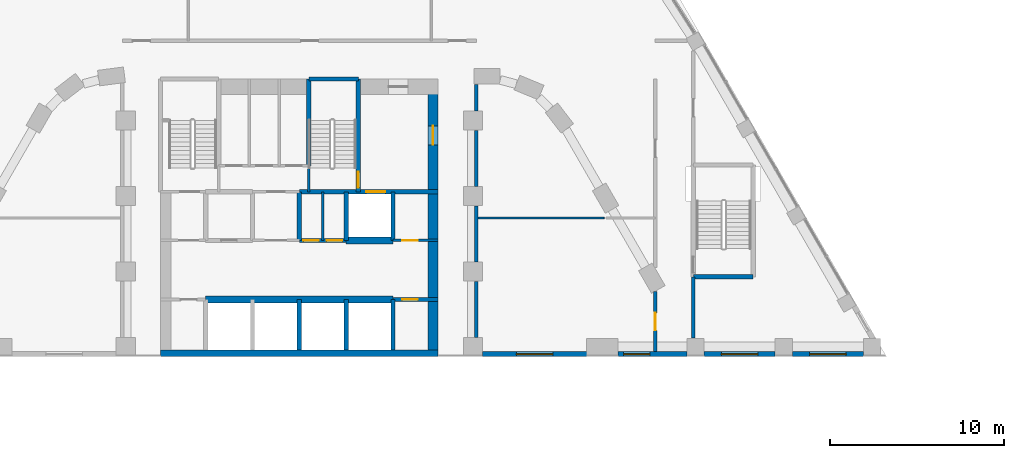
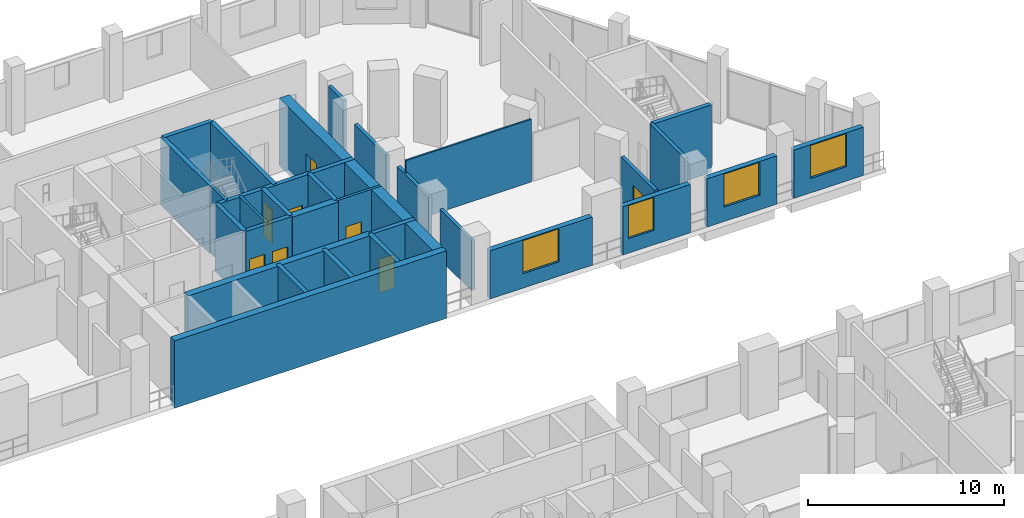
# One storey, part 24 of 47: 31 walls, 8 doors, 4 windows, 12 openings.
"""IFC4 building model written with IfcOpenShell, lengths in metres."""

from ifc_helpers import new_model, si_unit, direction, frame, frame_2d, origin, place, context, subcontext, project, spatial, rectangle, extrude, material, layer, layer_set, type_object, element, fill, save


model = new_model("IFC4")

# Units and contexts
model_context = context("Model", 3, precision=1e-05, world=origin(), true_north=direction((0.0, 1.0)))
body_context = subcontext(model_context, "Body", "Model", "MODEL_VIEW")
ifc_project = project(units=[si_unit("LENGTHUNIT", "METRE"), si_unit("AREAUNIT", "SQUARE_METRE"), si_unit("VOLUMEUNIT", "CUBIC_METRE"), si_unit("PLANEANGLEUNIT", "RADIAN"), si_unit("MASSUNIT", "GRAM", prefix="KILO")], contexts=[model_context])

# Site, building, storey
site_placement = place(None, origin())
site = spatial("IfcSite", under=ifc_project, at=site_placement, CompositionType="ELEMENT")
building_placement = place(site_placement, origin())
building = spatial("IfcBuilding", under=site, at=building_placement, Name="Nakaniwa Court", CompositionType="ELEMENT")
storey_placement = place(building_placement, frame((0.0, 0.0, 15.60009765625)))
storey = spatial("IfcBuildingStorey", under=building, at=storey_placement, Name="L03", CompositionType="ELEMENT", Elevation=15.60009765625)

# Wall
ifc_material_1 = material(Name="Acoustic double stud partition")
ifc_layer_1 = layer(ifc_material_1, 0.199951171875)
ifc_layer_set_1 = layer_set([ifc_layer_1], Name="Acoustic double stud partition")
wall_type_1 = type_object("IfcWallType", Name="Acoustic double stud partition 200", PredefinedType="PARTITIONING", material=ifc_layer_set_1)
wall_1_placement = place(storey_placement, frame((102.699951171875, 88.467041015625, 0.0), z_axis=(0.0, 0.0, 1.0), x_axis=(0.0, 1.0, 0.0)))
element("IfcWall", 1, at=wall_1_placement, inside=storey, type_object=wall_type_1, Name="Partition PW-083", PredefinedType="PARTITIONING", context=body_context, shape_type="SweptSolid", body=[
    extrude(rectangle(XDim=3.535888671875, YDim=0.199951171875, at=frame_2d((1.76806640625, 0.0))), origin(), (0.0, 0.0, 1.0), 3.89990234375),
])

# Wall, opening, door
wall_2_placement = place(storey_placement, frame((100.5, 87.699951171875, 0.0), z_axis=(0.0, 0.0, 1.0), x_axis=(0.0, 1.0, 0.0)))
wall_2 = element("IfcWall", 2, at=wall_2_placement, inside=storey, type_object=wall_type_1, Name="Partition PW-087", PredefinedType="PARTITIONING", context=body_context, shape_type="SweptSolid", body=[
    extrude(rectangle(XDim=3.44921875, YDim=0.199951171875, at=frame_2d((1.724609375, 0.0))), origin(), (0.0, 0.0, 1.0), 3.1298828125),
])
opening_1_placement = place(wall_2_placement, frame((1.222900390625, 0.0, 0.0)))
opening_1 = element("IfcOpeningElement", 3, at=opening_1_placement, cuts=wall_2, Name="Opening D-02-03", PredefinedType="OPENING", context=body_context, shape_type="SweptSolid", body=[
    extrude(rectangle(XDim=1.0, YDim=2.10009765625, at=frame_2d((0.5, 1.050048828125))), frame((0.0, 0.10986328125, 0.0), z_axis=(0.0, -1.0, 0.0), x_axis=(1.0, 0.0, 0.0)), (0.0, 0.0, 1.0), 0.219970703125),
])
ifc_material_2 = material(Name="Solid core timber door set, black veneer", Category="wood")
door_type_1 = type_object("IfcDoorType", Name="Internal door 1000", OperationType="NOTDEFINED", PredefinedType="DOOR", material=ifc_material_2)
door_1_placement = place(opening_1_placement, origin())
door_1 = element("IfcDoor", 4, at=door_1_placement, inside=storey, type_object=door_type_1, Name="Door D-02-03 L03-033", OperationType="SINGLE_SWING_RIGHT", OverallHeight=2.10009765625, OverallWidth=1.0, PredefinedType="DOOR", context=body_context, shape_type="SweptSolid", body=[
    extrude(rectangle(XDim=1.0, YDim=2.10009765625, at=frame_2d((0.5, 1.050048828125))), frame((0.0, 0.02490234375, 0.0), z_axis=(0.0, -1.0, 0.0), x_axis=(1.0, 0.0, 0.0)), (0.0, 0.0, 1.0), 0.050048828125),
])
fill(opening_1, door_1)

# Walls
wall_3_placement = place(storey_placement, frame((90.199951171875, 88.51708984375, 0.0), z_axis=(0.0, 0.0, 1.0), x_axis=(0.0, 1.0, 0.0)))
element("IfcWall", 5, at=wall_3_placement, inside=storey, type_object=wall_type_1, Name="Partition PW-106", PredefinedType="PARTITIONING", context=body_context, shape_type="SweptSolid", body=[
    extrude(rectangle(XDim=3.2158203125, YDim=0.199951171875, at=frame_2d((1.60791015625, 0.0))), origin(), (0.0, 0.0, 1.0), 3.1298828125),
])
for number, where, z_axis, x_axis, name in (
    (6, (90.199951171875, 92.866943359375, 0.0), (0.0, 0.0, 1.0), (0.0, 1.0, 0.0), "Partition PW-107"),
    (7, (90.199951171875, 97.217041015625, 0.0), (0.0, 0.0, 1.0), (0.0, 1.0, 0.0), "Partition PW-108"),
):
    element("IfcWall", number, at=place(storey_placement, frame(where, z_axis=z_axis, x_axis=x_axis)), inside=storey, type_object=wall_type_1, Name=name, PredefinedType="PARTITIONING", context=body_context, shape_type="SweptSolid", body=[
        extrude(rectangle(XDim=3.216064453125, YDim=0.199951171875, at=frame_2d((1.60791015625, 0.0))), origin(), (0.0, 0.0, 1.0), 3.1298828125),
    ])
wall_4_placement = place(storey_placement, frame((90.199951171875, 101.56689453125, 0.0), z_axis=(0.0, 0.0, 1.0), x_axis=(0.0, 1.0, 0.0)))
element("IfcWall", 8, at=wall_4_placement, inside=storey, type_object=wall_type_1, Name="Partition PW-109", PredefinedType="PARTITIONING", context=body_context, shape_type="SweptSolid", body=[
    extrude(rectangle(XDim=1.51611328125, YDim=0.199951171875, at=frame_2d((0.758056640625, 0.0))), origin(), (0.0, 0.0, 1.0), 3.89990234375),
])

# Wall, opening, window
ifc_material_3 = material(Name="Charcoal ceramic cladding")
ifc_layer_2 = layer(ifc_material_3, 0.02, Name="Ceramic cladding")
ifc_material_4 = material(Name="Ventilated air cavity")
ifc_layer_3 = layer(ifc_material_4, 0.04, ventilated=True, Name="Ventilated cavity")
ifc_material_5 = material(Name="Mineral wool insulation")
ifc_layer_4 = layer(ifc_material_5, 0.1, Name="Insulation")
ifc_material_6 = material(Name="Cement bonded sheathing board")
ifc_layer_5 = layer(ifc_material_6, 0.012, Name="Sheathing")
ifc_material_7 = material(Name="Cold-formed galvanised stud frame with mineral wool infill")
ifc_layer_6 = layer(ifc_material_7, 0.1, Name="Stud frame")
ifc_material_8 = material(Name="Fire-rated gypsum plasterboard lining")
ifc_layer_7 = layer(ifc_material_8, 0.028, Name="Lining")
ifc_layer_set_2 = layer_set([ifc_layer_2, ifc_layer_3, ifc_layer_4, ifc_layer_5, ifc_layer_6, ifc_layer_7], Name="Charcoal ceramic faced external wall system")
wall_type_2 = type_object("IfcWallType", Name="Black ceramic faced external wall 300", PredefinedType="SOLIDWALL", material=ifc_layer_set_2)
wall_5_placement = place(storey_placement, frame((90.5458984375, 87.550048828125, 0.0), z_axis=(0.0, 0.0, 1.0), x_axis=(1.0, 0.0, 0.0)))
wall_5 = element("IfcWall", 9, at=wall_5_placement, inside=storey, type_object=wall_type_2, Name="L03 external wall 35", PredefinedType="SOLIDWALL", context=body_context, shape_type="SweptSolid", body=[
    extrude(rectangle(XDim=6.01611328125, YDim=0.300048828125, at=frame_2d((3.008056640625, 0.0))), origin(), (0.0, 0.0, 1.0), 3.0),
])
opening_2_placement = place(wall_5_placement, frame((1.9580078125, 0.0, 0.89990234375)))
opening_2 = element("IfcOpeningElement", 10, at=opening_2_placement, cuts=wall_5, Name="Opening W2.30", PredefinedType="OPENING", context=body_context, shape_type="SweptSolid", body=[
    extrude(rectangle(XDim=2.10009765625, YDim=2.050048828125, at=frame_2d((1.050048828125, 1.02490234375))), frame((0.0, 0.159912109375, 0.0), z_axis=(0.0, -1.0, 0.0), x_axis=(1.0, 0.0, 0.0)), (0.0, 0.0, 1.0), 0.320068359375),
])
ifc_material_9 = material(Name="Black anodised aluminium frame with dark low-E laminated double glazing", Category="aluminium")
window_type_1 = type_object("IfcWindowType", Name="Dark glass window 2100x2050 sill 900", PartitioningType="SINGLE_PANEL", PredefinedType="WINDOW", material=ifc_material_9)
window_1_placement = place(opening_2_placement, origin())
window_1 = element("IfcWindow", 11, at=window_1_placement, inside=storey, type_object=window_type_1, Name="L03 habitable room window 35-0", OverallHeight=2.050048828125, OverallWidth=2.10009765625, PartitioningType="SINGLE_PANEL", PredefinedType="WINDOW", context=body_context, shape_type="SweptSolid", body=[
    extrude(rectangle(XDim=2.10009765625, YDim=2.050048828125, at=frame_2d((1.050048828125, 1.02490234375))), frame((0.0, 0.030029296875, 0.0), z_axis=(0.0, -1.0, 0.0), x_axis=(1.0, 0.0, 0.0)), (0.0, 0.0, 1.0), 0.06005859375),
])
fill(opening_2, window_1)

wall_6_placement = place(storey_placement, frame((98.35400390625, 87.550048828125, 0.0), z_axis=(0.0, 0.0, 1.0), x_axis=(1.0, 0.0, 0.0)))
wall_6 = element("IfcWall", 12, at=wall_6_placement, inside=storey, type_object=wall_type_2, Name="L03 external wall 36", PredefinedType="SOLIDWALL", context=body_context, shape_type="SweptSolid", body=[
    extrude(rectangle(XDim=3.972900390625, YDim=0.300048828125, at=frame_2d((1.986328125, 0.0))), origin(), (0.0, 0.0, 1.0), 3.0),
])
opening_3_placement = place(wall_6_placement, frame((0.3349609375, 0.0, 0.89990234375)))
opening_3 = element("IfcOpeningElement", 13, at=opening_3_placement, cuts=wall_6, Name="Opening W4.31", PredefinedType="OPENING", context=body_context, shape_type="SweptSolid", body=[
    extrude(rectangle(XDim=1.5, YDim=2.050048828125, at=frame_2d((0.75, 1.02490234375))), frame((0.0, 0.159912109375, 0.0), z_axis=(0.0, -1.0, 0.0), x_axis=(1.0, 0.0, 0.0)), (0.0, 0.0, 1.0), 0.320068359375),
])
window_type_2 = type_object("IfcWindowType", Name="Dark glass window 1500x2050 sill 900", PartitioningType="SINGLE_PANEL", PredefinedType="WINDOW", material=ifc_material_9)
window_2_placement = place(opening_3_placement, origin())
window_2 = element("IfcWindow", 14, at=window_2_placement, inside=storey, type_object=window_type_2, Name="L03 habitable room window 36-0", OverallHeight=2.050048828125, OverallWidth=1.5, PartitioningType="SINGLE_PANEL", PredefinedType="WINDOW", context=body_context, shape_type="SweptSolid", body=[
    extrude(rectangle(XDim=1.5, YDim=2.050048828125, at=frame_2d((0.75, 1.02490234375))), frame((0.0, 0.030029296875, 0.0), z_axis=(0.0, -1.0, 0.0), x_axis=(1.0, 0.0, 0.0)), (0.0, 0.0, 1.0), 0.06005859375),
])
fill(opening_3, window_2)

wall_7_placement = place(storey_placement, frame((103.319091796875, 87.550048828125, 0.0), z_axis=(0.0, 0.0, 1.0), x_axis=(1.0, 0.0, 0.0)))
wall_7 = element("IfcWall", 15, at=wall_7_placement, inside=storey, type_object=wall_type_2, Name="L03 external wall 37", PredefinedType="SOLIDWALL", context=body_context, shape_type="SweptSolid", body=[
    extrude(rectangle(XDim=4.093994140625, YDim=0.300048828125, at=frame_2d((2.046875, 0.0))), origin(), (0.0, 0.0, 1.0), 3.0),
])
opening_4_placement = place(wall_7_placement, frame((0.9970703125, 0.0, 0.89990234375)))
opening_4 = element("IfcOpeningElement", 16, at=opening_4_placement, cuts=wall_7, Name="Opening W2.32", PredefinedType="OPENING", context=body_context, shape_type="SweptSolid", body=[
    extrude(rectangle(XDim=2.10009765625, YDim=2.050048828125, at=frame_2d((1.050048828125, 1.02490234375))), frame((0.0, 0.159912109375, 0.0), z_axis=(0.0, -1.0, 0.0), x_axis=(1.0, 0.0, 0.0)), (0.0, 0.0, 1.0), 0.320068359375),
])
window_3_placement = place(opening_4_placement, origin())
window_3 = element("IfcWindow", 17, at=window_3_placement, inside=storey, type_object=window_type_1, Name="L03 habitable room window 37-0", OverallHeight=2.050048828125, OverallWidth=2.10009765625, PartitioningType="SINGLE_PANEL", PredefinedType="WINDOW", context=body_context, shape_type="SweptSolid", body=[
    extrude(rectangle(XDim=2.10009765625, YDim=2.050048828125, at=frame_2d((1.050048828125, 1.02490234375))), frame((0.0, 0.030029296875, 0.0), z_axis=(0.0, -1.0, 0.0), x_axis=(1.0, 0.0, 0.0)), (0.0, 0.0, 1.0), 0.06005859375),
])
fill(opening_4, window_3)

wall_8_placement = place(storey_placement, frame((108.405029296875, 87.550048828125, 0.0), z_axis=(0.0, 0.0, 1.0), x_axis=(1.0, 0.0, 0.0)))
wall_8 = element("IfcWall", 18, at=wall_8_placement, inside=storey, type_object=wall_type_2, Name="L03 external wall 38", PredefinedType="SOLIDWALL", context=body_context, shape_type="SweptSolid", body=[
    extrude(rectangle(XDim=4.094970703125, YDim=0.300048828125, at=frame_2d((2.04736328125, 0.0))), origin(), (0.0, 0.0, 1.0), 3.0),
])
opening_5_placement = place(wall_8_placement, frame((0.99755859375, 0.0, 0.89990234375)))
opening_5 = element("IfcOpeningElement", 19, at=opening_5_placement, cuts=wall_8, Name="Opening W2.33", PredefinedType="OPENING", context=body_context, shape_type="SweptSolid", body=[
    extrude(rectangle(XDim=2.10009765625, YDim=2.050048828125, at=frame_2d((1.050048828125, 1.02490234375))), frame((0.0, 0.159912109375, 0.0), z_axis=(0.0, -1.0, 0.0), x_axis=(1.0, 0.0, 0.0)), (0.0, 0.0, 1.0), 0.320068359375),
])
window_4_placement = place(opening_5_placement, origin())
window_4 = element("IfcWindow", 20, at=window_4_placement, inside=storey, type_object=window_type_1, Name="L03 habitable room window 38-0", OverallHeight=2.050048828125, OverallWidth=2.10009765625, PartitioningType="SINGLE_PANEL", PredefinedType="WINDOW", context=body_context, shape_type="SweptSolid", body=[
    extrude(rectangle(XDim=2.10009765625, YDim=2.050048828125, at=frame_2d((1.050048828125, 1.02490234375))), frame((0.0, 0.030029296875, 0.0), z_axis=(0.0, -1.0, 0.0), x_axis=(1.0, 0.0, 0.0)), (0.0, 0.0, 1.0), 0.06005859375),
])
fill(opening_5, window_4)

# Wall, opening, door
ifc_material_10 = material(Name="Blockwork partition", Category="masonry")
ifc_layer_8 = layer(ifc_material_10, 0.14990234375)
ifc_layer_set_3 = layer_set([ifc_layer_8], Name="Blockwork partition")
wall_type_3 = type_object("IfcWallType", Name="Blockwork partition 150", PredefinedType="PARTITIONING", material=ifc_layer_set_3)
wall_9_placement = place(storey_placement, frame((85.39697265625, 94.10009765625, 0.0), z_axis=(0.0, 0.0, 1.0), x_axis=(1.0, 0.0, 0.0)))
wall_9 = element("IfcWall", 21, at=wall_9_placement, inside=storey, type_object=wall_type_3, Name="Partition PW-018", PredefinedType="PARTITIONING", context=body_context, shape_type="SweptSolid", body=[
    extrude(rectangle(XDim=2.60302734375, YDim=0.14990234375, at=frame_2d((1.301513671875, 0.0))), origin(), (0.0, 0.0, 1.0), 3.89990234375),
])
opening_6_placement = place(wall_9_placement, frame((0.528076171875, 0.0, 0.0)))
opening_6 = element("IfcOpeningElement", 22, at=opening_6_placement, cuts=wall_9, Name="Opening D-05-06", PredefinedType="OPENING", context=body_context, shape_type="SweptSolid", body=[
    extrude(rectangle(XDim=0.89990234375, YDim=2.10009765625, at=frame_2d((0.449951171875, 1.050048828125))), frame((0.0, 0.0849609375, 0.0), z_axis=(0.0, -1.0, 0.0), x_axis=(1.0, 0.0, 0.0)), (0.0, 0.0, 1.0), 0.169921875),
])
ifc_material_11 = material(Name="Fire rated steel door set", Category="steel")
door_type_2 = type_object("IfcDoorType", Name="Service room door 900", OperationType="NOTDEFINED", PredefinedType="DOOR", material=ifc_material_11)
door_2_placement = place(opening_6_placement, origin())
door_2 = element("IfcDoor", 23, at=door_2_placement, inside=storey, type_object=door_type_2, Name="Door D-05-06 L03-008", OperationType="SINGLE_SWING_LEFT", OverallHeight=2.10009765625, OverallWidth=0.89990234375, PredefinedType="DOOR", context=body_context, shape_type="SweptSolid", body=[
    extrude(rectangle(XDim=0.89990234375, YDim=2.10009765625, at=frame_2d((0.449951171875, 1.050048828125))), frame((0.0, 0.02490234375, 0.0), z_axis=(0.0, -1.0, 0.0), x_axis=(1.0, 0.0, 0.0)), (0.0, 0.0, 1.0), 0.050048828125),
])
fill(opening_6, door_2)

# Wall
wall_10_placement = place(storey_placement, frame((81.35009765625, 94.10009765625, 0.0), z_axis=(0.0, 0.0, 1.0), x_axis=(0.0, 1.0, 0.0)))
element("IfcWall", 24, at=wall_10_placement, inside=storey, type_object=wall_type_3, Name="Partition PW-026", PredefinedType="PARTITIONING", context=body_context, shape_type="SweptSolid", body=[
    extrude(rectangle(XDim=2.7998046875, YDim=0.14990234375, at=frame_2d((1.39990234375, 0.0))), origin(), (0.0, 0.0, 1.0), 3.89990234375),
])

# Wall, opening, door
ifc_material_12 = material(Name="Concrete C100/115", Category="concrete")
ifc_layer_9 = layer(ifc_material_12, 0.60009765625)
ifc_layer_set_4 = layer_set([ifc_layer_9], Name="Concrete C100/115")
wall_type_4 = type_object("IfcWallType", Name="Concrete core side wall 600 C100", PredefinedType="SHEAR", material=ifc_layer_set_4)
wall_11_placement = place(storey_placement, frame((87.699951171875, 103.39990234375, -0.300048828125), z_axis=(0.0, 0.0, 1.0), x_axis=(0.0, -1.0, 0.0)))
wall_11 = element("IfcWall", 25, at=wall_11_placement, inside=storey, type_object=wall_type_4, Name="Core wall SW-15", PredefinedType="SHEAR", context=body_context, shape_type="SweptSolid", body=[
    extrude(rectangle(XDim=15.599853515625, YDim=0.60009765625, at=frame_2d((7.7998046875, 0.0))), origin(), (0.0, 0.0, 1.0), 4.199951171875),
])
opening_7_placement = place(wall_11_placement, frame((2.699951171875, 0.0, 0.300048828125)))
opening_7 = element("IfcOpeningElement", 26, at=opening_7_placement, cuts=wall_11, Name="Opening D-10-01", PredefinedType="OPENING", context=body_context, shape_type="SweptSolid", body=[
    extrude(rectangle(XDim=1.10009765625, YDim=2.10009765625, at=frame_2d((0.550048828125, 1.050048828125))), frame((0.0, 0.31005859375, 0.0), z_axis=(0.0, -1.0, 0.0), x_axis=(1.0, 0.0, 0.0)), (0.0, 0.0, 1.0), 0.6201171875),
])
door_type_3 = type_object("IfcDoorType", Name="Firefighting lobby door 1100", OperationType="NOTDEFINED", PredefinedType="DOOR", material=ifc_material_11)
door_3_placement = place(opening_7_placement, origin())
door_3 = element("IfcDoor", 27, at=door_3_placement, inside=storey, type_object=door_type_3, Name="Door D-10-01 L03-055", OperationType="SINGLE_SWING_RIGHT", OverallHeight=2.10009765625, OverallWidth=1.10009765625, PredefinedType="DOOR", context=body_context, shape_type="SweptSolid", body=[
    extrude(rectangle(XDim=1.10009765625, YDim=2.10009765625, at=frame_2d((0.550048828125, 1.050048828125))), frame((0.0, 0.02490234375, 0.0), z_axis=(0.0, -1.0, 0.0), x_axis=(1.0, 0.0, 0.0)), (0.0, 0.0, 1.0), 0.050048828125),
])
fill(opening_7, door_3)

# Walls
ifc_layer_10 = layer(ifc_material_12, 0.39990234375)
ifc_layer_set_5 = layer_set([ifc_layer_10], Name="Concrete C100/115")
wall_type_5 = type_object("IfcWallType", Name="Concrete core spine wall 400 C100", PredefinedType="SHEAR", material=ifc_layer_set_5)
wall_12_placement = place(storey_placement, frame((74.60009765625, 90.699951171875, -0.300048828125), z_axis=(0.0, 0.0, 1.0), x_axis=(1.0, 0.0, 0.0)))
element("IfcWall", 28, at=wall_12_placement, inside=storey, type_object=wall_type_5, Name="Core wall SW-07", PredefinedType="SHEAR", context=body_context, shape_type="SweptSolid", body=[
    extrude(rectangle(XDim=10.7998046875, YDim=0.39990234375, at=frame_2d((5.39990234375, 0.0))), origin(), (0.0, 0.0, 1.0), 4.199951171875),
])
wall_13_placement = place(storey_placement, frame((82.697021484375, 94.10009765625, -0.300048828125), z_axis=(0.0, 0.0, 1.0), x_axis=(1.0, 0.0, 0.0)))
element("IfcWall", 29, at=wall_13_placement, inside=storey, type_object=wall_type_5, Name="Core wall SW-21", PredefinedType="SHEAR", context=body_context, shape_type="SweptSolid", body=[
    extrude(rectangle(XDim=2.7060546875, YDim=0.39990234375, at=frame_2d((1.35302734375, 0.0))), origin(), (0.0, 0.0, 1.0), 4.199951171875),
])
ifc_layer_11 = layer(ifc_material_12, 0.14990234375)
ifc_layer_set_6 = layer_set([ifc_layer_11], Name="Concrete C100/115")
wall_type_6 = type_object("IfcWallType", Name="Concrete core wall 150 C100", PredefinedType="SHEAR", material=ifc_layer_set_6)
wall_14_placement = place(storey_placement, frame((80.550048828125, 96.89990234375, -0.300048828125), z_axis=(0.0, 0.0, 1.0), x_axis=(0.0, 1.0, 0.0)))
element("IfcWall", 30, at=wall_14_placement, inside=storey, type_object=wall_type_6, Name="Core wall SW-33", PredefinedType="SHEAR", context=body_context, shape_type="SweptSolid", body=[
    extrude(rectangle(XDim=1.503173828125, YDim=0.14990234375, at=frame_2d((0.75146484375, 0.0))), origin(), (0.0, 0.0, 1.0), 4.199951171875),
])
ifc_layer_12 = layer(ifc_material_12, 0.25)
ifc_layer_set_7 = layer_set([ifc_layer_12], Name="Concrete C100/115")
wall_type_7 = type_object("IfcWallType", Name="Concrete core wall 250 C100", PredefinedType="SHEAR", material=ifc_layer_set_7)
wall_15_placement = place(storey_placement, frame((80.550048828125, 103.39990234375, -0.300048828125), z_axis=(0.0, 0.0, 1.0), x_axis=(1.0, 0.0, 0.0)))
element("IfcWall", 31, at=wall_15_placement, inside=storey, type_object=wall_type_7, Name="Core wall SW-31", PredefinedType="SHEAR", context=body_context, shape_type="SweptSolid", body=[
    extrude(rectangle(XDim=2.849853515625, YDim=0.25, at=frame_2d((1.4248046875, 0.0))), origin(), (0.0, 0.0, 1.0), 4.199951171875),
])
wall_16_placement = place(storey_placement, frame((102.699951171875, 92.0, -0.300048828125), z_axis=(0.0, 0.0, 1.0), x_axis=(1.0, 0.0, 0.0)))
element("IfcWall", 32, at=wall_16_placement, inside=storey, type_object=wall_type_7, Name="Core wall SW-123", PredefinedType="SHEAR", context=body_context, shape_type="SweptSolid", body=[
    extrude(rectangle(XDim=3.449951171875, YDim=0.25, at=frame_2d((1.72509765625, 0.0))), origin(), (0.0, 0.0, 1.0), 4.199951171875),
])
ifc_layer_13 = layer(ifc_material_12, 0.39990234375)
ifc_layer_set_8 = layer_set([ifc_layer_13], Name="Concrete C100/115")
wall_type_8 = type_object("IfcWallType", Name="Concrete core well wall 400 C100", PredefinedType="SHEAR", material=ifc_layer_set_8)
wall_17_placement = place(storey_placement, frame((72.00390625, 87.60009765625, -0.300048828125), z_axis=(0.0, 0.0, 1.0), x_axis=(1.0, 0.0, 0.0)))
element("IfcWall", 33, at=wall_17_placement, inside=storey, type_object=wall_type_8, Name="Core wall SW-152", PredefinedType="SHEAR", context=body_context, shape_type="SweptSolid", body=[
    extrude(rectangle(XDim=15.9921875, YDim=0.39990234375, at=frame_2d((7.99609375, 0.0))), origin(), (0.0, 0.0, 1.0), 4.199951171875),
])
ifc_layer_14 = layer(ifc_material_12, 0.25)
ifc_layer_set_9 = layer_set([ifc_layer_14], Name="Concrete C100/115")
wall_type_9 = type_object("IfcWallType", Name="Concrete shaft wall 250 C100", PredefinedType="SHEAR", material=ifc_layer_set_9)
wall_18_placement = place(storey_placement, frame((80.0, 87.800048828125, -0.300048828125), z_axis=(0.0, 0.0, 1.0), x_axis=(0.0, 1.0, 0.0)))
element("IfcWall", 34, at=wall_18_placement, inside=storey, type_object=wall_type_9, Name="Core wall SW-08", PredefinedType="SHEAR", context=body_context, shape_type="SweptSolid", body=[
    extrude(rectangle(XDim=2.89990234375, YDim=0.25, at=frame_2d((1.449951171875, 0.0))), origin(), (0.0, 0.0, 1.0), 4.199951171875),
])
wall_19_placement = place(storey_placement, frame((80.0, 94.10009765625, -0.300048828125), z_axis=(0.0, 0.0, 1.0), x_axis=(0.0, 1.0, 0.0)))
element("IfcWall", 35, at=wall_19_placement, inside=storey, type_object=wall_type_9, Name="Core wall SW-09", PredefinedType="SHEAR", context=body_context, shape_type="SweptSolid", body=[
    extrude(rectangle(XDim=2.7998046875, YDim=0.25, at=frame_2d((1.39990234375, 0.0))), origin(), (0.0, 0.0, 1.0), 4.199951171875),
])
wall_20_placement = place(storey_placement, frame((82.699951171875, 87.800048828125, -0.300048828125), z_axis=(0.0, 0.0, 1.0), x_axis=(0.0, 1.0, 0.0)))
element("IfcWall", 36, at=wall_20_placement, inside=storey, type_object=wall_type_9, Name="Core wall SW-10", PredefinedType="SHEAR", context=body_context, shape_type="SweptSolid", body=[
    extrude(rectangle(XDim=2.89990234375, YDim=0.25, at=frame_2d((1.449951171875, 0.0))), origin(), (0.0, 0.0, 1.0), 4.199951171875),
])
wall_21_placement = place(storey_placement, frame((82.699951171875, 94.10009765625, -0.300048828125), z_axis=(0.0, 0.0, 1.0), x_axis=(0.0, 1.0, 0.0)))
element("IfcWall", 37, at=wall_21_placement, inside=storey, type_object=wall_type_9, Name="Core wall SW-11", PredefinedType="SHEAR", context=body_context, shape_type="SweptSolid", body=[
    extrude(rectangle(XDim=2.7998046875, YDim=0.25, at=frame_2d((1.39990234375, 0.0))), origin(), (0.0, 0.0, 1.0), 4.199951171875),
])
wall_22_placement = place(storey_placement, frame((85.39990234375, 87.800048828125, -0.300048828125), z_axis=(0.0, 0.0, 1.0), x_axis=(0.0, 1.0, 0.0)))
element("IfcWall", 38, at=wall_22_placement, inside=storey, type_object=wall_type_9, Name="Core wall SW-12", PredefinedType="SHEAR", context=body_context, shape_type="SweptSolid", body=[
    extrude(rectangle(XDim=2.89990234375, YDim=0.25, at=frame_2d((1.449951171875, 0.0))), origin(), (0.0, 0.0, 1.0), 4.199951171875),
])
wall_23_placement = place(storey_placement, frame((85.39990234375, 94.10009765625, -0.300048828125), z_axis=(0.0, 0.0, 1.0), x_axis=(0.0, 1.0, 0.0)))
element("IfcWall", 39, at=wall_23_placement, inside=storey, type_object=wall_type_9, Name="Core wall SW-13", PredefinedType="SHEAR", context=body_context, shape_type="SweptSolid", body=[
    extrude(rectangle(XDim=2.7998046875, YDim=0.25, at=frame_2d((1.39990234375, 0.0))), origin(), (0.0, 0.0, 1.0), 4.199951171875),
])

# Wall, opening, door
wall_24_placement = place(storey_placement, frame((88.0, 90.699951171875, -0.300048828125), z_axis=(0.0, 0.0, 1.0), x_axis=(-1.0, 0.0, 0.0)))
wall_24 = element("IfcWall", 40, at=wall_24_placement, inside=storey, type_object=wall_type_9, Name="Core wall SW-14", PredefinedType="SHEAR", context=body_context, shape_type="SweptSolid", body=[
    extrude(rectangle(XDim=2.60009765625, YDim=0.25, at=frame_2d((1.300048828125, 0.0))), origin(), (0.0, 0.0, 1.0), 4.199951171875),
])
opening_8_placement = place(wall_24_placement, frame((1.175048828125, 0.0, 0.300048828125)))
opening_8 = element("IfcOpeningElement", 41, at=opening_8_placement, cuts=wall_24, Name="Opening D-05-02", PredefinedType="OPENING", context=body_context, shape_type="SweptSolid", body=[
    extrude(rectangle(XDim=0.89990234375, YDim=2.10009765625, at=frame_2d((0.449951171875, 1.050048828125))), frame((0.0, 0.135009765625, 0.0), z_axis=(0.0, -1.0, 0.0), x_axis=(1.0, 0.0, 0.0)), (0.0, 0.0, 1.0), 0.27001953125),
])
door_4_placement = place(opening_8_placement, origin())
door_4 = element("IfcDoor", 42, at=door_4_placement, inside=storey, type_object=door_type_2, Name="Door D-05-02 L03-002", OperationType="SINGLE_SWING_LEFT", OverallHeight=2.10009765625, OverallWidth=0.89990234375, PredefinedType="DOOR", context=body_context, shape_type="SweptSolid", body=[
    extrude(rectangle(XDim=0.89990234375, YDim=2.10009765625, at=frame_2d((0.449951171875, 1.050048828125))), frame((0.0, 0.02490234375, 0.0), z_axis=(0.0, -1.0, 0.0), x_axis=(1.0, 0.0, 0.0)), (0.0, 0.0, 1.0), 0.050048828125),
])
fill(opening_8, door_4)

# Wall, openings, doors
wall_25_placement = place(storey_placement, frame((79.9970703125, 94.10009765625, -0.300048828125), z_axis=(0.0, 0.0, 1.0), x_axis=(1.0, 0.0, 0.0)))
wall_25 = element("IfcWall", 43, at=wall_25_placement, inside=storey, type_object=wall_type_9, Name="Core wall SW-20", PredefinedType="SHEAR", context=body_context, shape_type="SweptSolid", body=[
    extrude(rectangle(XDim=2.705810546875, YDim=0.25, at=frame_2d((1.35302734375, 0.0))), origin(), (0.0, 0.0, 1.0), 4.199951171875),
])
opening_9_placement = place(wall_25_placement, frame((0.22802734375, 0.0, 0.300048828125)))
opening_9 = element("IfcOpeningElement", 44, at=opening_9_placement, cuts=wall_25, Name="Opening D-05-04", PredefinedType="OPENING", context=body_context, shape_type="SweptSolid", body=[
    extrude(rectangle(XDim=0.89990234375, YDim=2.10009765625, at=frame_2d((0.449951171875, 1.050048828125))), frame((0.0, 0.135009765625, 0.0), z_axis=(0.0, -1.0, 0.0), x_axis=(1.0, 0.0, 0.0)), (0.0, 0.0, 1.0), 0.27001953125),
])
opening_10_placement = place(wall_25_placement, frame((1.577880859375, 0.0, 0.300048828125)))
opening_10 = element("IfcOpeningElement", 45, at=opening_10_placement, cuts=wall_25, Name="Opening D-05-05", PredefinedType="OPENING", context=body_context, shape_type="SweptSolid", body=[
    extrude(rectangle(XDim=0.89990234375, YDim=2.10009765625, at=frame_2d((0.449951171875, 1.050048828125))), frame((0.0, 0.135009765625, 0.0), z_axis=(0.0, -1.0, 0.0), x_axis=(1.0, 0.0, 0.0)), (0.0, 0.0, 1.0), 0.27001953125),
])
door_5_placement = place(opening_9_placement, origin())
door_5 = element("IfcDoor", 46, at=door_5_placement, inside=storey, type_object=door_type_2, Name="Door D-05-04 L03-006", OperationType="SINGLE_SWING_LEFT", OverallHeight=2.10009765625, OverallWidth=0.89990234375, PredefinedType="DOOR", context=body_context, shape_type="SweptSolid", body=[
    extrude(rectangle(XDim=0.89990234375, YDim=2.10009765625, at=frame_2d((0.449951171875, 1.050048828125))), frame((0.0, 0.02490234375, 0.0), z_axis=(0.0, -1.0, 0.0), x_axis=(1.0, 0.0, 0.0)), (0.0, 0.0, 1.0), 0.050048828125),
])
fill(opening_9, door_5)
door_6_placement = place(opening_10_placement, origin())
door_6 = element("IfcDoor", 47, at=door_6_placement, inside=storey, type_object=door_type_2, Name="Door D-05-05 L03-007", OperationType="SINGLE_SWING_RIGHT", OverallHeight=2.10009765625, OverallWidth=0.89990234375, PredefinedType="DOOR", context=body_context, shape_type="SweptSolid", body=[
    extrude(rectangle(XDim=0.89990234375, YDim=2.10009765625, at=frame_2d((0.449951171875, 1.050048828125))), frame((0.0, 0.02490234375, 0.0), z_axis=(0.0, -1.0, 0.0), x_axis=(1.0, 0.0, 0.0)), (0.0, 0.0, 1.0), 0.050048828125),
])
fill(opening_10, door_6)

# Wall, opening, door
wall_26_placement = place(storey_placement, frame((80.0, 96.89990234375, -0.300048828125), z_axis=(0.0, 0.0, 1.0), x_axis=(1.0, 0.0, 0.0)))
wall_26 = element("IfcWall", 48, at=wall_26_placement, inside=storey, type_object=wall_type_9, Name="Core wall SW-24", PredefinedType="SHEAR", context=body_context, shape_type="SweptSolid", body=[
    extrude(rectangle(XDim=8.0, YDim=0.25, at=frame_2d((4.0, 0.0))), origin(), (0.0, 0.0, 1.0), 4.199951171875),
])
opening_11_placement = place(wall_26_placement, frame((3.84912109375, 0.0, 0.300048828125)))
opening_11 = element("IfcOpeningElement", 49, at=opening_11_placement, cuts=wall_26, Name="Opening LD01", PredefinedType="OPENING", context=body_context, shape_type="SweptSolid", body=[
    extrude(rectangle(XDim=1.10009765625, YDim=2.10009765625, at=frame_2d((0.550048828125, 1.050048828125))), frame((0.0, 0.135009765625, 0.0), z_axis=(0.0, -1.0, 0.0), x_axis=(1.0, 0.0, 0.0)), (0.0, 0.0, 1.0), 0.27001953125),
])
ifc_material_13 = material(Name="Stainless steel sliding lift landing door", Category="steel")
door_type_4 = type_object("IfcDoorType", Name="Lift landing door 1100", OperationType="NOTDEFINED", PredefinedType="DOOR", material=ifc_material_13)
door_7_placement = place(opening_11_placement, origin())
door_7 = element("IfcDoor", 50, at=door_7_placement, inside=storey, type_object=door_type_4, Name="Lift landing door LD01 L03-001", OperationType="SLIDING_TO_LEFT", OverallHeight=2.10009765625, OverallWidth=1.10009765625, PredefinedType="DOOR", context=body_context, shape_type="SweptSolid", body=[
    extrude(rectangle(XDim=1.10009765625, YDim=2.10009765625, at=frame_2d((0.550048828125, 1.050048828125))), frame((0.0, 0.02490234375, 0.0), z_axis=(0.0, -1.0, 0.0), x_axis=(1.0, 0.0, 0.0)), (0.0, 0.0, 1.0), 0.050048828125),
])
fill(opening_11, door_7)

wall_27_placement = place(storey_placement, frame((83.39990234375, 103.39990234375, -0.300048828125), z_axis=(0.0, 0.0, 1.0), x_axis=(0.0, -1.0, 0.0)))
wall_27 = element("IfcWall", 51, at=wall_27_placement, inside=storey, type_object=wall_type_9, Name="Core wall SW-32", PredefinedType="SHEAR", context=body_context, shape_type="SweptSolid", body=[
    extrude(rectangle(XDim=6.5, YDim=0.25, at=frame_2d((3.25, 0.0))), origin(), (0.0, 0.0, 1.0), 4.199951171875),
])
opening_12_placement = place(wall_27_placement, frame((5.35009765625, 0.0, 0.300048828125)))
opening_12 = element("IfcOpeningElement", 52, at=opening_12_placement, cuts=wall_27, Name="Opening D-11-01", PredefinedType="OPENING", context=body_context, shape_type="SweptSolid", body=[
    extrude(rectangle(XDim=0.89990234375, YDim=2.10009765625, at=frame_2d((0.449951171875, 1.050048828125))), frame((0.0, 0.135009765625, 0.0), z_axis=(0.0, -1.0, 0.0), x_axis=(1.0, 0.0, 0.0)), (0.0, 0.0, 1.0), 0.27001953125),
])
door_type_5 = type_object("IfcDoorType", Name="Stair door 900", OperationType="NOTDEFINED", PredefinedType="DOOR", material=ifc_material_11)
door_8_placement = place(opening_12_placement, origin())
door_8 = element("IfcDoor", 53, at=door_8_placement, inside=storey, type_object=door_type_5, Name="Door D-11-01 L03-014", OperationType="SINGLE_SWING_RIGHT", OverallHeight=2.10009765625, OverallWidth=0.89990234375, PredefinedType="DOOR", context=body_context, shape_type="SweptSolid", body=[
    extrude(rectangle(XDim=0.89990234375, YDim=2.10009765625, at=frame_2d((0.449951171875, 1.050048828125))), frame((0.0, 0.02490234375, 0.0), z_axis=(0.0, -1.0, 0.0), x_axis=(1.0, 0.0, 0.0)), (0.0, 0.0, 1.0), 0.050048828125),
])
fill(opening_12, door_8)

# Walls
wall_28_placement = place(storey_placement, frame((80.550048828125, 98.39697265625, -0.300048828125), z_axis=(0.0, 0.0, 1.0), x_axis=(0.0, 1.0, 0.0)))
element("IfcWall", 54, at=wall_28_placement, inside=storey, type_object=wall_type_9, Name="Core wall SW-34", PredefinedType="SHEAR", context=body_context, shape_type="SweptSolid", body=[
    extrude(rectangle(XDim=5.0029296875, YDim=0.25, at=frame_2d((2.50146484375, 0.0))), origin(), (0.0, 0.0, 1.0), 4.199951171875),
])
ifc_material_14 = material(Name="Single stud plasterboard partition")
ifc_layer_15 = layer(ifc_material_14, 0.10009765625)
ifc_layer_set_10 = layer_set([ifc_layer_15], Name="Single stud plasterboard partition")
wall_type_10 = type_object("IfcWallType", Name="Single stud plasterboard partition 100", PredefinedType="PARTITIONING", material=ifc_layer_set_10)
wall_29_placement = place(storey_placement, frame((90.199951171875, 95.39990234375, 0.0), z_axis=(0.0, 0.0, 1.0), x_axis=(1.0, 0.0, 0.0)))
element("IfcWall", 55, at=wall_29_placement, inside=storey, type_object=wall_type_10, Name="Partition PW-128", PredefinedType="PARTITIONING", context=body_context, shape_type="SweptSolid", body=[
    extrude(rectangle(XDim=7.366455078125, YDim=0.10009765625, at=frame_2d((3.68310546875, 0.0))), origin(), (0.0, 0.0, 1.0), 3.89990234375),
])

save(model, "model.ifc")
